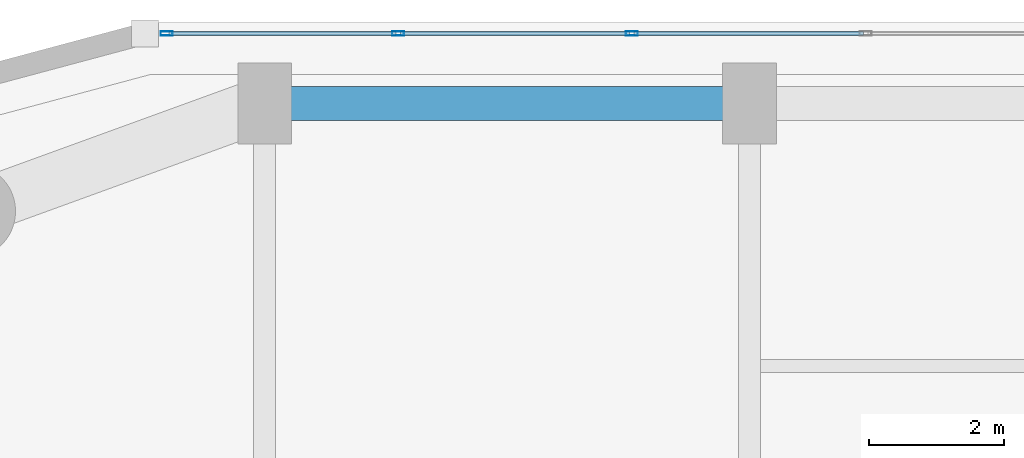
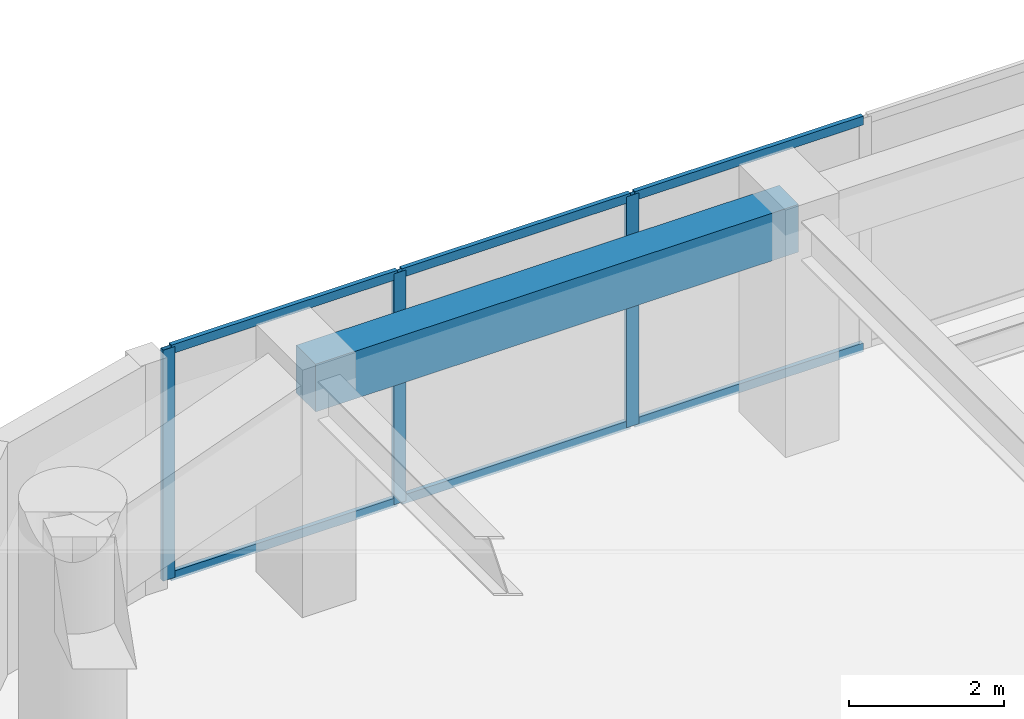
# One storey, part 13 of 24: 9 members, 1 beam, 1 element without a shape of its own.
"""IFC4 building model written with IfcOpenShell, lengths in metres."""

from ifc_helpers import new_model, si_unit, direction, frame, origin, origin_2d, place, context, subcontext, project, spatial, rectangle, hollow_rectangle, extrude, material, layer, layer_set, material_profile, profile_set, type_object, element, aggregate, save


model = new_model("IFC4")

# Units and contexts
model_context = context("Model", 3, precision=1e-05, world=origin(), true_north=direction((0.0, 1.0)))
body_context = subcontext(model_context, "Body", "Model", "MODEL_VIEW")
ifc_project = project(units=[si_unit("LENGTHUNIT", "METRE"), si_unit("AREAUNIT", "SQUARE_METRE"), si_unit("VOLUMEUNIT", "CUBIC_METRE"), si_unit("PLANEANGLEUNIT", "RADIAN"), si_unit("MASSUNIT", "GRAM", prefix="KILO")], contexts=[model_context])

# Site, building, storey
site_placement = place(None, origin())
site = spatial("IfcSite", under=ifc_project, at=site_placement, CompositionType="ELEMENT")
building_placement = place(site_placement, origin())
building = spatial("IfcBuilding", under=site, at=building_placement, Name="Kiyonajd Concourse Tower", CompositionType="ELEMENT")
storey_placement = place(building_placement, frame((0.0, 0.0, 97.5)))
storey = spatial("IfcBuildingStorey", under=building, at=storey_placement, Name="L25", CompositionType="ELEMENT", Elevation=97.5)

# Beam
ifc_material_1 = material(Name="Precast concrete C50/60", Category="concrete")
ifc_material_profile_1 = material_profile(ifc_material_1, rectangle(XDim=0.5, YDim=0.75, at=origin_2d()), Name="RCBM-500x750")
ifc_profile_set_1 = profile_set([ifc_material_profile_1], Name="Precast concrete C50/60")
beam_type = type_object("IfcBeamType", Name="BM-SPAN-RC", PredefinedType="SPANDREL", material=ifc_profile_set_1)
beam_placement = place(storey_placement, frame((32.39990234375, 61.199951171875, 3.264892578125), z_axis=(-1.0, 0.0, 0.0), x_axis=(0.0, -1.0, 0.0)))
element("IfcBeam", 1, at=beam_placement, inside=storey, type_object=beam_type, Name="L25 Perimeter Bundled Tube Spandrel", PredefinedType="SPANDREL", context=body_context, shape_type="SweptSolid", body=[
    extrude(rectangle(XDim=0.5, YDim=0.75, at=origin_2d()), origin(), (0.0, 0.0, 1.0), 7.199951171875),
])

# Curtain wall, members
ifc_material_2 = material(Name="Thermally Broken Anodised Aluminium", Category="aluminium")
ifc_layer = layer(ifc_material_2, 0.179931640625)
ifc_layer_set = layer_set([ifc_layer], Name="Thermally Broken Anodised Aluminium")
curtain_wall_type = type_object("IfcCurtainWallType", Name="CW-SYS-03", PredefinedType="NOTDEFINED", material=ifc_layer_set)
curtain_wall_placement = place(storey_placement, origin())
curtain_wall = element("IfcCurtainWall", 2, at=curtain_wall_placement, inside=storey, type_object=curtain_wall_type, Name="L25 Unitised Curtain Wall CW3", PredefinedType="NOTDEFINED")
ifc_material_profile_2 = material_profile(ifc_material_2, hollow_rectangle(XDim=0.06494140625, YDim=0.179931640625, WallThickness=0.00390625, at=origin_2d()), Name="MULL-65x180")
ifc_profile_set_2 = profile_set([ifc_material_profile_2], Name="Thermally Broken Anodised Aluminium")
member_type_1 = type_object("IfcMemberType", Name="MB-CW-MULL1", PredefinedType="MULLION", material=ifc_profile_set_2)
member_1_placement = place(storey_placement, frame((23.74365234375, 62.239990234375, 0.0), z_axis=(0.0, 0.0, 1.0), x_axis=(0.0, 1.0, 0.0)))
member_1 = element("IfcMember", 3, at=member_1_placement, type_object=member_type_1, Name="CW3 mullion 1", PredefinedType="MULLION", context=body_context, shape_type="SweptSolid", body=[
    extrude(hollow_rectangle(XDim=0.06494140625, YDim=0.179931640625, WallThickness=0.00390625, at=origin_2d()), origin(), (0.0, 0.0, 1.0), 3.639892578125),
])
member_2_placement = place(storey_placement, frame((27.181884765625, 62.239990234375, 0.0), z_axis=(0.0, 0.0, 1.0), x_axis=(0.0, 1.0, 0.0)))
member_2 = element("IfcMember", 4, at=member_2_placement, type_object=member_type_1, Name="CW3 mullion 2", PredefinedType="MULLION", context=body_context, shape_type="SweptSolid", body=[
    extrude(hollow_rectangle(XDim=0.06494140625, YDim=0.179931640625, WallThickness=0.00390625, at=origin_2d()), origin(), (0.0, 0.0, 1.0), 3.639892578125),
])
member_3_placement = place(storey_placement, frame((30.652587890625, 62.239990234375, 0.0), z_axis=(0.0, 0.0, 1.0), x_axis=(0.0, 1.0, 0.0)))
member_3 = element("IfcMember", 5, at=member_3_placement, type_object=member_type_1, Name="CW3 mullion 3", PredefinedType="MULLION", context=body_context, shape_type="SweptSolid", body=[
    extrude(hollow_rectangle(XDim=0.06494140625, YDim=0.179931640625, WallThickness=0.00390625, at=origin_2d()), origin(), (0.0, 0.0, 1.0), 3.639892578125),
])
ifc_material_profile_3 = material_profile(ifc_material_2, hollow_rectangle(XDim=0.06494140625, YDim=0.139892578125, WallThickness=0.00390625, at=origin_2d()), Name="TRAN-65x140")
ifc_profile_set_3 = profile_set([ifc_material_profile_3], Name="Thermally Broken Anodised Aluminium")
member_type_2 = type_object("IfcMemberType", Name="MB-CW-TRAN1", PredefinedType="USERDEFINED", material=ifc_profile_set_3)
member_4_placement = place(storey_placement, frame((23.776123046875, 62.239990234375, 0.032470703125), z_axis=(1.0, 0.0, 0.0), x_axis=(0.0, 1.0, 0.0)))
member_4 = element("IfcMember", 6, at=member_4_placement, type_object=member_type_2, Name="CW3 transom 1.1", ObjectType="TRANSOM", PredefinedType="USERDEFINED", context=body_context, shape_type="SweptSolid", body=[
    extrude(hollow_rectangle(XDim=0.06494140625, YDim=0.139892578125, WallThickness=0.00390625, at=origin_2d()), origin(), (0.0, 0.0, 1.0), 3.373291015625),
])
member_5_placement = place(storey_placement, frame((23.776123046875, 62.239990234375, 3.607421875), z_axis=(1.0, 0.0, 0.0), x_axis=(0.0, 1.0, 0.0)))
member_5 = element("IfcMember", 7, at=member_5_placement, type_object=member_type_2, Name="CW3 transom 1.2", ObjectType="TRANSOM", PredefinedType="USERDEFINED", context=body_context, shape_type="SweptSolid", body=[
    extrude(hollow_rectangle(XDim=0.06494140625, YDim=0.139892578125, WallThickness=0.00390625, at=origin_2d()), origin(), (0.0, 0.0, 1.0), 3.373291015625),
])
member_6_placement = place(storey_placement, frame((27.21435546875, 62.239990234375, 0.032470703125), z_axis=(1.0, 0.0, 0.0), x_axis=(0.0, 1.0, 0.0)))
member_6 = element("IfcMember", 8, at=member_6_placement, type_object=member_type_2, Name="CW3 transom 2.1", ObjectType="TRANSOM", PredefinedType="USERDEFINED", context=body_context, shape_type="SweptSolid", body=[
    extrude(hollow_rectangle(XDim=0.06494140625, YDim=0.139892578125, WallThickness=0.00390625, at=origin_2d()), origin(), (0.0, 0.0, 1.0), 3.40576171875),
])
member_7_placement = place(storey_placement, frame((27.21435546875, 62.239990234375, 3.607421875), z_axis=(1.0, 0.0, 0.0), x_axis=(0.0, 1.0, 0.0)))
member_7 = element("IfcMember", 9, at=member_7_placement, type_object=member_type_2, Name="CW3 transom 2.2", ObjectType="TRANSOM", PredefinedType="USERDEFINED", context=body_context, shape_type="SweptSolid", body=[
    extrude(hollow_rectangle(XDim=0.06494140625, YDim=0.139892578125, WallThickness=0.00390625, at=origin_2d()), origin(), (0.0, 0.0, 1.0), 3.40576171875),
])
member_8_placement = place(storey_placement, frame((30.68505859375, 62.239990234375, 0.032470703125), z_axis=(1.0, 0.0, 0.0), x_axis=(0.0, 1.0, 0.0)))
member_8 = element("IfcMember", 10, at=member_8_placement, type_object=member_type_2, Name="CW3 transom 3.1", ObjectType="TRANSOM", PredefinedType="USERDEFINED", context=body_context, shape_type="SweptSolid", body=[
    extrude(hollow_rectangle(XDim=0.06494140625, YDim=0.139892578125, WallThickness=0.00390625, at=origin_2d()), origin(), (0.0, 0.0, 1.0), 3.40576171875),
])
member_9_placement = place(storey_placement, frame((30.68505859375, 62.239990234375, 3.607421875), z_axis=(1.0, 0.0, 0.0), x_axis=(0.0, 1.0, 0.0)))
member_9 = element("IfcMember", 11, at=member_9_placement, type_object=member_type_2, Name="CW3 transom 3.2", ObjectType="TRANSOM", PredefinedType="USERDEFINED", context=body_context, shape_type="SweptSolid", body=[
    extrude(hollow_rectangle(XDim=0.06494140625, YDim=0.139892578125, WallThickness=0.00390625, at=origin_2d()), origin(), (0.0, 0.0, 1.0), 3.40576171875),
])
aggregate(curtain_wall, [member_1, member_2, member_3, member_4, member_5, member_6, member_7, member_8, member_9])

save(model, "model.ifc")
